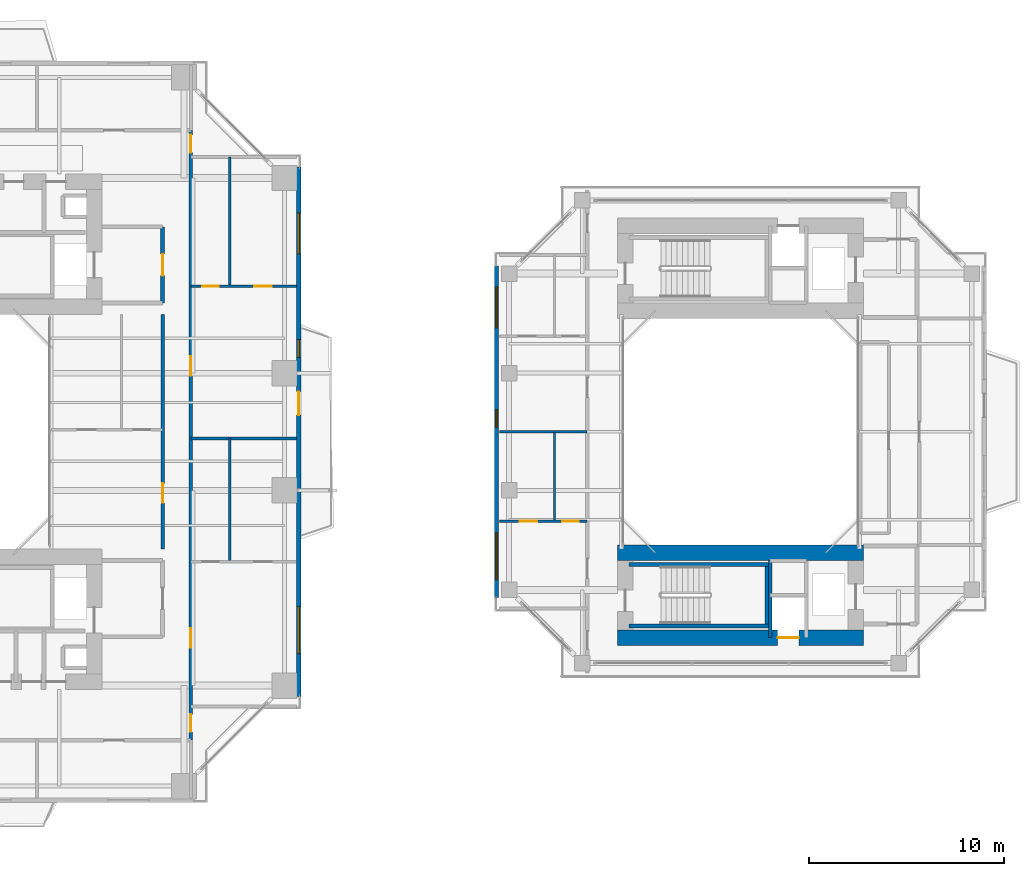
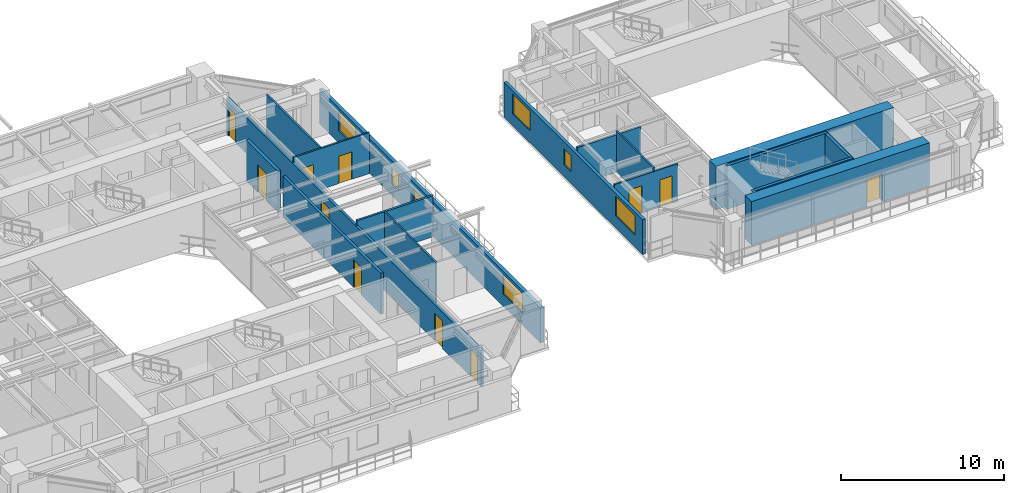
# One storey, part 16 of 23: 18 walls, 12 doors, 6 windows, 18 openings.
"""IFC4 building model written with IfcOpenShell, lengths in metres."""

from ifc_helpers import new_model, si_unit, direction, frame, frame_2d, origin, place, context, subcontext, project, spatial, rectangle, extrude, source, transform, mapped, material, layer, layer_set, type_object, element, fill, save


model = new_model("IFC4")

# Units and contexts
model_context = context("Model", 3, precision=1e-05, world=origin(), true_north=direction((0.0, 1.0)))
body_context = subcontext(model_context, "Body", "Model", "MODEL_VIEW")
ifc_project = project(units=[si_unit("LENGTHUNIT", "METRE"), si_unit("AREAUNIT", "SQUARE_METRE"), si_unit("VOLUMEUNIT", "CUBIC_METRE"), si_unit("PLANEANGLEUNIT", "RADIAN"), si_unit("MASSUNIT", "GRAM", prefix="KILO"), si_unit("THERMODYNAMICTEMPERATUREUNIT", "KELVIN"), si_unit("POWERUNIT", "WATT")], contexts=[model_context])

# Site, building, storey
site_placement = place(None, origin())
site = spatial("IfcSite", under=ifc_project, at=site_placement, CompositionType="ELEMENT")
building_placement = place(site_placement, origin())
building = spatial("IfcBuilding", under=site, at=building_placement, Name="Qiaomeng Ring Towers", CompositionType="ELEMENT")
storey_placement = place(building_placement, frame((0.0, 0.0, 86.0)))
storey = spatial("IfcBuildingStorey", under=building, at=storey_placement, Name="L24", CompositionType="ELEMENT", Elevation=86.0)

# Wall, openings, windows, door
ifc_material_1 = material(Name="Precast concrete C40", Category="concrete")
ifc_layer_1 = layer(ifc_material_1, 0.25, Name="Precast concrete C40")
ifc_layer_set_1 = layer_set([ifc_layer_1], Name="Precast concrete C40")
wall_type_1 = type_object("IfcWallType", Name="ARC-WL-EW1", PredefinedType="STANDARD", material=ifc_layer_set_1)
wall_1_placement = place(storey_placement, frame((37.875, 9.449951171875, 0.0), z_axis=(0.0, 0.0, 1.0), x_axis=(0.0, 1.0, 0.0)))
wall_1 = element("IfcWall", 1, at=wall_1_placement, inside=storey, type_object=wall_type_1, Name="L24 Tower 1 E Exterior Wall", PredefinedType="STANDARD", context=body_context, shape_type="SweptSolid", body=[
    extrude(rectangle(XDim=27.10009765625, YDim=0.25, at=frame_2d((13.550048828125, 0.0))), origin(), (0.0, 0.0, 1.0), 2.610107421875),
])
opening_1_placement = place(wall_1_placement, frame((14.39990234375, 0.0, 0.0)))
opening_1 = element("IfcOpeningElement", 2, at=opening_1_placement, cuts=wall_1, Name="Opening BD1", PredefinedType="OPENING", context=body_context, shape_type="SweptSolid", body=[
    extrude(rectangle(XDim=1.199951171875, YDim=2.10009765625, at=frame_2d((0.60009765625, 1.050048828125))), frame((0.0, 0.135009765625, 0.0), z_axis=(0.0, -1.0, 0.0), x_axis=(1.0, 0.0, 0.0)), (0.0, 0.0, 1.0), 0.27001953125),
])
opening_2_placement = place(wall_1_placement, frame((2.18798828125, 0.0, 0.89990234375)))
opening_2 = element("IfcOpeningElement", 3, at=opening_2_placement, cuts=wall_1, Name="Opening WN6", PredefinedType="OPENING", context=body_context, shape_type="SweptSolid", body=[
    extrude(rectangle(XDim=2.39990234375, YDim=1.47998046875, at=frame_2d((1.199951171875, 0.739990234375))), frame((0.0, 0.135009765625, 0.0), z_axis=(0.0, -1.0, 0.0), x_axis=(1.0, 0.0, 0.0)), (0.0, 0.0, 1.0), 0.27001953125),
])
opening_3_placement = place(wall_1_placement, frame((22.6630859375, 0.0, 0.89990234375)))
opening_3 = element("IfcOpeningElement", 4, at=opening_3_placement, cuts=wall_1, Name="Opening WN4", PredefinedType="OPENING", context=body_context, shape_type="SweptSolid", body=[
    extrude(rectangle(XDim=2.10009765625, YDim=1.47998046875, at=frame_2d((1.050048828125, 0.739990234375))), frame((0.0, 0.135009765625, 0.0), z_axis=(0.0, -1.0, 0.0), x_axis=(1.0, 0.0, 0.0)), (0.0, 0.0, 1.0), 0.27001953125),
])
opening_4_placement = place(wall_1_placement, frame((17.364990234375, 0.0, 0.89990234375)))
opening_4 = element("IfcOpeningElement", 5, at=opening_4_placement, cuts=wall_1, Name="Opening WN5", PredefinedType="OPENING", context=body_context, shape_type="SweptSolid", body=[
    extrude(rectangle(XDim=0.89990234375, YDim=1.199951171875, at=frame_2d((0.449951171875, 0.60009765625))), frame((0.0, 0.135009765625, 0.0), z_axis=(0.0, -1.0, 0.0), x_axis=(1.0, 0.0, 0.0)), (0.0, 0.0, 1.0), 0.27001953125),
])
ifc_material_2 = material(Name="Low-E dark-grey laminated double glazing", Category="glass")
window_type_1 = type_object("IfcWindowType", Name="ARC-WN-4", PartitioningType="TRIPLE_PANEL_VERTICAL", PredefinedType="WINDOW", material=ifc_material_2)
shared_shape_1 = source(origin(), body_context, "Body", "SweptSolid", [
    extrude(rectangle(XDim=2.10009765625, YDim=1.47998046875, at=frame_2d((1.050048828125, 0.739990234375))), frame((0.0, 0.030029296875, 0.0), z_axis=(0.0, -1.0, 0.0), x_axis=(1.0, 0.0, 0.0)), (0.0, 0.0, 1.0), 0.06005859375),
])
window_1_placement = place(opening_3_placement, origin())
window_1 = element("IfcWindow", 6, at=window_1_placement, inside=storey, type_object=window_type_1, Name="L24 Exterior Window WN4", OverallHeight=1.47998046875, OverallWidth=2.10009765625, PartitioningType="TRIPLE_PANEL_VERTICAL", PredefinedType="WINDOW", context=body_context, shape_type="MappedRepresentation", body=[
    mapped(shared_shape_1, transform((0.0, 0.0, 0.0), x_axis=(1.0, 0.0, 0.0), y_axis=(0.0, 1.0, 0.0), z_axis=(0.0, 0.0, 1.0), scale=1.0)),
])
fill(opening_3, window_1)
window_type_2 = type_object("IfcWindowType", Name="ARC-WN-6", PartitioningType="TRIPLE_PANEL_VERTICAL", PredefinedType="WINDOW", material=ifc_material_2)
shared_shape_2 = source(origin(), body_context, "Body", "SweptSolid", [
    extrude(rectangle(XDim=2.39990234375, YDim=1.47998046875, at=frame_2d((1.199951171875, 0.739990234375))), frame((0.0, 0.030029296875, 0.0), z_axis=(0.0, -1.0, 0.0), x_axis=(1.0, 0.0, 0.0)), (0.0, 0.0, 1.0), 0.06005859375),
])
window_2_placement = place(opening_2_placement, origin())
window_2 = element("IfcWindow", 7, at=window_2_placement, inside=storey, type_object=window_type_2, Name="L24 Exterior Window WN6", OverallHeight=1.47998046875, OverallWidth=2.39990234375, PartitioningType="TRIPLE_PANEL_VERTICAL", PredefinedType="WINDOW", context=body_context, shape_type="MappedRepresentation", body=[
    mapped(shared_shape_2, transform((0.0, 0.0, 0.0), x_axis=(1.0, 0.0, 0.0), y_axis=(0.0, 1.0, 0.0), z_axis=(0.0, 0.0, 1.0), scale=1.0)),
])
fill(opening_2, window_2)
door_type_1 = type_object("IfcDoorType", Name="ARC-DR-BD1", OperationType="NOTDEFINED", PredefinedType="DOOR", material=ifc_material_2)
shared_shape_3 = source(origin(), body_context, "Body", "SweptSolid", [
    extrude(rectangle(XDim=1.199951171875, YDim=2.10009765625, at=frame_2d((0.60009765625, 1.050048828125))), frame((0.0, 0.02490234375, 0.0), z_axis=(0.0, -1.0, 0.0), x_axis=(1.0, 0.0, 0.0)), (0.0, 0.0, 1.0), 0.050048828125),
])
door_1_placement = place(opening_1_placement, origin())
door_1 = element("IfcDoor", 8, at=door_1_placement, inside=storey, type_object=door_type_1, Name="L24 E Balcony Glazed Door", OperationType="SINGLE_SWING_LEFT", OverallHeight=2.10009765625, OverallWidth=1.199951171875, PredefinedType="DOOR", context=body_context, shape_type="MappedRepresentation", body=[
    mapped(shared_shape_3, transform((0.0, 0.0, 0.0), x_axis=(1.0, 0.0, 0.0), y_axis=(0.0, 1.0, 0.0), z_axis=(0.0, 0.0, 1.0), scale=1.0)),
])
fill(opening_1, door_1)
window_type_3 = type_object("IfcWindowType", Name="ARC-WN-5", PartitioningType="SINGLE_PANEL", PredefinedType="WINDOW", material=ifc_material_2)
shared_shape_4 = source(origin(), body_context, "Body", "SweptSolid", [
    extrude(rectangle(XDim=0.89990234375, YDim=1.199951171875, at=frame_2d((0.449951171875, 0.60009765625))), frame((0.0, 0.030029296875, 0.0), z_axis=(0.0, -1.0, 0.0), x_axis=(1.0, 0.0, 0.0)), (0.0, 0.0, 1.0), 0.06005859375),
])
window_3_placement = place(opening_4_placement, origin())
window_3 = element("IfcWindow", 9, at=window_3_placement, inside=storey, type_object=window_type_3, Name="L24 Exterior Window WN5", OverallHeight=1.199951171875, OverallWidth=0.89990234375, PartitioningType="SINGLE_PANEL", PredefinedType="WINDOW", context=body_context, shape_type="MappedRepresentation", body=[
    mapped(shared_shape_4, transform((0.0, 0.0, 0.0), x_axis=(1.0, 0.0, 0.0), y_axis=(0.0, 1.0, 0.0), z_axis=(0.0, 0.0, 1.0), scale=1.0)),
])
fill(opening_4, window_3)

# Wall, openings, windows
ifc_layer_2 = layer(ifc_material_1, 0.219970703125, Name="Precast concrete C40")
ifc_layer_set_2 = layer_set([ifc_layer_2], Name="Precast concrete C40")
wall_type_2 = type_object("IfcWallType", Name="ARC-WL-EW2", PredefinedType="STANDARD", material=ifc_layer_set_2)
wall_2_placement = place(storey_placement, frame((48.010009765625, 14.5, 0.0), z_axis=(0.0, 0.0, 1.0), x_axis=(0.0, 1.0, 0.0)))
wall_2 = element("IfcWall", 10, at=wall_2_placement, inside=storey, type_object=wall_type_2, Name="L24 Companion West Wall", PredefinedType="STANDARD", context=body_context, shape_type="SweptSolid", body=[
    extrude(rectangle(XDim=17.0, YDim=0.219970703125, at=frame_2d((8.5, 0.0))), origin(), (0.0, 0.0, 1.0), 2.610107421875),
])
opening_5_placement = place(wall_2_placement, frame((0.925048828125, 0.0, 0.89990234375)))
opening_5 = element("IfcOpeningElement", 11, at=opening_5_placement, cuts=wall_2, Name="Opening WN6", PredefinedType="OPENING", context=body_context, shape_type="SweptSolid", body=[
    extrude(rectangle(XDim=2.39990234375, YDim=1.47998046875, at=frame_2d((1.199951171875, 0.739990234375))), frame((0.0, 0.119873046875, 0.0), z_axis=(0.0, -1.0, 0.0), x_axis=(1.0, 0.0, 0.0)), (0.0, 0.0, 1.0), 0.239990234375),
])
opening_6_placement = place(wall_2_placement, frame((13.824951171875, 0.0, 0.89990234375)))
opening_6 = element("IfcOpeningElement", 12, at=opening_6_placement, cuts=wall_2, Name="Opening WN4", PredefinedType="OPENING", context=body_context, shape_type="SweptSolid", body=[
    extrude(rectangle(XDim=2.10009765625, YDim=1.47998046875, at=frame_2d((1.050048828125, 0.739990234375))), frame((0.0, 0.119873046875, 0.0), z_axis=(0.0, -1.0, 0.0), x_axis=(1.0, 0.0, 0.0)), (0.0, 0.0, 1.0), 0.239990234375),
])
opening_7_placement = place(wall_2_placement, frame((8.735107421875, 0.0, 0.89990234375)))
opening_7 = element("IfcOpeningElement", 13, at=opening_7_placement, cuts=wall_2, Name="Opening WN5", PredefinedType="OPENING", context=body_context, shape_type="SweptSolid", body=[
    extrude(rectangle(XDim=0.89990234375, YDim=1.199951171875, at=frame_2d((0.449951171875, 0.60009765625))), frame((0.0, 0.119873046875, 0.0), z_axis=(0.0, -1.0, 0.0), x_axis=(1.0, 0.0, 0.0)), (0.0, 0.0, 1.0), 0.239990234375),
])
window_4_placement = place(opening_6_placement, origin())
window_4 = element("IfcWindow", 14, at=window_4_placement, inside=storey, type_object=window_type_1, Name="L24 Exterior Window WN4", OverallHeight=1.47998046875, OverallWidth=2.10009765625, PartitioningType="TRIPLE_PANEL_VERTICAL", PredefinedType="WINDOW", context=body_context, shape_type="MappedRepresentation", body=[
    mapped(shared_shape_1, transform((0.0, 0.0, 0.0), x_axis=(1.0, 0.0, 0.0), y_axis=(0.0, 1.0, 0.0), z_axis=(0.0, 0.0, 1.0), scale=1.0)),
])
fill(opening_6, window_4)
window_5_placement = place(opening_5_placement, origin())
window_5 = element("IfcWindow", 15, at=window_5_placement, inside=storey, type_object=window_type_2, Name="L24 Exterior Window WN6", OverallHeight=1.47998046875, OverallWidth=2.39990234375, PartitioningType="TRIPLE_PANEL_VERTICAL", PredefinedType="WINDOW", context=body_context, shape_type="MappedRepresentation", body=[
    mapped(shared_shape_2, transform((0.0, 0.0, 0.0), x_axis=(1.0, 0.0, 0.0), y_axis=(0.0, 1.0, 0.0), z_axis=(0.0, 0.0, 1.0), scale=1.0)),
])
fill(opening_5, window_5)
window_6_placement = place(opening_7_placement, origin())
window_6 = element("IfcWindow", 16, at=window_6_placement, inside=storey, type_object=window_type_3, Name="L24 Exterior Window WN5", OverallHeight=1.199951171875, OverallWidth=0.89990234375, PartitioningType="SINGLE_PANEL", PredefinedType="WINDOW", context=body_context, shape_type="MappedRepresentation", body=[
    mapped(shared_shape_4, transform((0.0, 0.0, 0.0), x_axis=(1.0, 0.0, 0.0), y_axis=(0.0, 1.0, 0.0), z_axis=(0.0, 0.0, 1.0), scale=1.0)),
])
fill(opening_7, window_6)

# Wall, opening, door
ifc_material_3 = material(Name="Autoclaved aerated concrete block", Category="concrete")
ifc_layer_3 = layer(ifc_material_3, 0.199951171875, Name="Autoclaved aerated concrete block")
ifc_layer_set_3 = layer_set([ifc_layer_3], Name="Autoclaved aerated concrete block")
wall_type_3 = type_object("IfcWallType", Name="ARC-WL-PW1", PredefinedType="PARTITIONING", material=ifc_layer_set_3)
wall_3_placement = place(storey_placement, frame((30.89990234375, 29.60009765625, 0.0), z_axis=(0.0, 0.0, 1.0), x_axis=(0.0, 1.0, 0.0)))
wall_3 = element("IfcWall", 17, at=wall_3_placement, inside=storey, type_object=wall_type_3, Name="L24 Interior Wall PW1", PredefinedType="PARTITIONING", context=body_context, shape_type="SweptSolid", body=[
    extrude(rectangle(XDim=3.89990234375, YDim=0.199951171875, at=frame_2d((1.949951171875, 0.0))), origin(), (0.0, 0.0, 1.0), 3.070068359375),
])
opening_8_placement = place(wall_3_placement, frame((1.39990234375, 0.0, 0.0)))
opening_8 = element("IfcOpeningElement", 18, at=opening_8_placement, cuts=wall_3, Name="Opening FD3", PredefinedType="OPENING", context=body_context, shape_type="SweptSolid", body=[
    extrude(rectangle(XDim=1.10009765625, YDim=2.050048828125, at=frame_2d((0.550048828125, 1.02490234375))), frame((0.0, 0.10986328125, 0.0), z_axis=(0.0, -1.0, 0.0), x_axis=(1.0, 0.0, 0.0)), (0.0, 0.0, 1.0), 0.219970703125),
])
ifc_material_4 = material(Name="Galvanised steel", Category="steel")
door_type_2 = type_object("IfcDoorType", Name="ARC-DR-FD3", OperationType="NOTDEFINED", PredefinedType="DOOR", material=ifc_material_4)
shared_shape_5 = source(origin(), body_context, "Body", "SweptSolid", [
    extrude(rectangle(XDim=1.10009765625, YDim=2.050048828125, at=frame_2d((0.550048828125, 1.02490234375))), frame((0.0, 0.02490234375, 0.0), z_axis=(0.0, -1.0, 0.0), x_axis=(1.0, 0.0, 0.0)), (0.0, 0.0, 1.0), 0.050048828125),
])
door_2_placement = place(opening_8_placement, origin())
door_2 = element("IfcDoor", 19, at=door_2_placement, inside=storey, type_object=door_type_2, Name="L24 North FF Lobby Door", OperationType="SINGLE_SWING_LEFT", OverallHeight=2.050048828125, OverallWidth=1.10009765625, PredefinedType="DOOR", context=body_context, shape_type="MappedRepresentation", body=[
    mapped(shared_shape_5, transform((0.0, 0.0, 0.0), x_axis=(1.0, 0.0, 0.0), y_axis=(0.0, 1.0, 0.0), z_axis=(0.0, 0.0, 1.0), scale=1.0)),
])
fill(opening_8, door_2)

# Wall, openings, doors
ifc_layer_4 = layer(ifc_material_3, 0.179931640625, Name="Autoclaved aerated concrete block")
ifc_layer_set_4 = layer_set([ifc_layer_4], Name="Autoclaved aerated concrete block")
wall_type_4 = type_object("IfcWallType", Name="ARC-WL-PW2", PredefinedType="PARTITIONING", material=ifc_layer_set_4)
wall_4_placement = place(storey_placement, frame((32.35009765625, 7.2099609375, 0.0), z_axis=(0.0, 0.0, 1.0), x_axis=(0.0, 1.0, 0.0)))
wall_4 = element("IfcWall", 20, at=wall_4_placement, inside=storey, type_object=wall_type_4, Name="L24 Interior Wall PW2", PredefinedType="PARTITIONING", context=body_context, shape_type="SweptSolid", body=[
    extrude(rectangle(XDim=31.22998046875, YDim=0.179931640625, at=frame_2d((15.614990234375, 0.0))), origin(), (0.0, 0.0, 1.0), 2.715087890625),
])
opening_9_placement = place(wall_4_placement, frame((30.090087890625, 0.0, 0.0)))
opening_9 = element("IfcOpeningElement", 21, at=opening_9_placement, cuts=wall_4, Name="Opening ID1", PredefinedType="OPENING", context=body_context, shape_type="SweptSolid", body=[
    extrude(rectangle(XDim=0.89990234375, YDim=2.050048828125, at=frame_2d((0.449951171875, 1.02490234375))), frame((0.0, 0.099853515625, 0.0), z_axis=(0.0, -1.0, 0.0), x_axis=(1.0, 0.0, 0.0)), (0.0, 0.0, 1.0), 0.199951171875),
])
opening_10_placement = place(wall_4_placement, frame((0.4150390625, 0.0, 0.0)))
opening_10 = element("IfcOpeningElement", 22, at=opening_10_placement, cuts=wall_4, Name="Opening ID1", PredefinedType="OPENING", context=body_context, shape_type="SweptSolid", body=[
    extrude(rectangle(XDim=0.89990234375, YDim=2.050048828125, at=frame_2d((0.449951171875, 1.02490234375))), frame((0.0, 0.099853515625, 0.0), z_axis=(0.0, -1.0, 0.0), x_axis=(1.0, 0.0, 0.0)), (0.0, 0.0, 1.0), 0.199951171875),
])
opening_11_placement = place(wall_4_placement, frame((4.72998046875, 0.0, 0.0)))
opening_11 = element("IfcOpeningElement", 23, at=opening_11_placement, cuts=wall_4, Name="Opening FD4", PredefinedType="OPENING", context=body_context, shape_type="SweptSolid", body=[
    extrude(rectangle(XDim=1.0, YDim=2.050048828125, at=frame_2d((0.5, 1.02490234375))), frame((0.0, 0.099853515625, 0.0), z_axis=(0.0, -1.0, 0.0), x_axis=(1.0, 0.0, 0.0)), (0.0, 0.0, 1.0), 0.199951171875),
])
opening_12_placement = place(wall_4_placement, frame((18.655029296875, 0.0, 0.0)))
opening_12 = element("IfcOpeningElement", 24, at=opening_12_placement, cuts=wall_4, Name="Opening FD4", PredefinedType="OPENING", context=body_context, shape_type="SweptSolid", body=[
    extrude(rectangle(XDim=1.0, YDim=2.050048828125, at=frame_2d((0.5, 1.02490234375))), frame((0.0, 0.099853515625, 0.0), z_axis=(0.0, -1.0, 0.0), x_axis=(1.0, 0.0, 0.0)), (0.0, 0.0, 1.0), 0.199951171875),
])
ifc_material_5 = material(Name="Engineered fire-rated oak timber", Category="wood")
door_type_3 = type_object("IfcDoorType", Name="ARC-DR-FD4", OperationType="NOTDEFINED", PredefinedType="DOOR", material=ifc_material_5)
shared_shape_6 = source(origin(), body_context, "Body", "SweptSolid", [
    extrude(rectangle(XDim=1.0, YDim=2.050048828125, at=frame_2d((0.5, 1.02490234375))), frame((0.0, 0.02490234375, 0.0), z_axis=(0.0, -1.0, 0.0), x_axis=(1.0, 0.0, 0.0)), (0.0, 0.0, 1.0), 0.050048828125),
])
door_3_placement = place(opening_11_placement, origin())
door_3 = element("IfcDoor", 25, at=door_3_placement, inside=storey, type_object=door_type_3, Name="L24 Door FD4", OperationType="SINGLE_SWING_LEFT", OverallHeight=2.050048828125, OverallWidth=1.0, PredefinedType="DOOR", context=body_context, shape_type="MappedRepresentation", body=[
    mapped(shared_shape_6, transform((0.0, 0.0, 0.0), x_axis=(1.0, 0.0, 0.0), y_axis=(0.0, 1.0, 0.0), z_axis=(0.0, 0.0, 1.0), scale=1.0)),
])
fill(opening_11, door_3)
door_4_placement = place(opening_12_placement, origin())
door_4 = element("IfcDoor", 26, at=door_4_placement, inside=storey, type_object=door_type_3, Name="L24 Door FD4", OperationType="SINGLE_SWING_RIGHT", OverallHeight=2.050048828125, OverallWidth=1.0, PredefinedType="DOOR", context=body_context, shape_type="MappedRepresentation", body=[
    mapped(shared_shape_6, transform((0.0, 0.0, 0.0), x_axis=(1.0, 0.0, 0.0), y_axis=(0.0, 1.0, 0.0), z_axis=(0.0, 0.0, 1.0), scale=1.0)),
])
fill(opening_12, door_4)
ifc_material_6 = material(Name="Engineered oak timber", Category="wood")
door_type_4 = type_object("IfcDoorType", Name="ARC-DR-ID1", OperationType="NOTDEFINED", PredefinedType="DOOR", material=ifc_material_6)
shared_shape_7 = source(origin(), body_context, "Body", "SweptSolid", [
    extrude(rectangle(XDim=0.89990234375, YDim=2.050048828125, at=frame_2d((0.449951171875, 1.02490234375))), frame((0.0, 0.02490234375, 0.0), z_axis=(0.0, -1.0, 0.0), x_axis=(1.0, 0.0, 0.0)), (0.0, 0.0, 1.0), 0.050048828125),
])
door_5_placement = place(opening_9_placement, origin())
door_5 = element("IfcDoor", 27, at=door_5_placement, inside=storey, type_object=door_type_4, Name="L24 Door ID1", OperationType="SINGLE_SWING_LEFT", OverallHeight=2.050048828125, OverallWidth=0.89990234375, PredefinedType="DOOR", context=body_context, shape_type="MappedRepresentation", body=[
    mapped(shared_shape_7, transform((0.0, 0.0, 0.0), x_axis=(1.0, 0.0, 0.0), y_axis=(0.0, 1.0, 0.0), z_axis=(0.0, 0.0, 1.0), scale=1.0)),
])
fill(opening_9, door_5)
door_6_placement = place(opening_10_placement, origin())
door_6 = element("IfcDoor", 28, at=door_6_placement, inside=storey, type_object=door_type_4, Name="L24 Door ID1", OperationType="SINGLE_SWING_RIGHT", OverallHeight=2.050048828125, OverallWidth=0.89990234375, PredefinedType="DOOR", context=body_context, shape_type="MappedRepresentation", body=[
    mapped(shared_shape_7, transform((0.0, 0.0, 0.0), x_axis=(1.0, 0.0, 0.0), y_axis=(0.0, 1.0, 0.0), z_axis=(0.0, 0.0, 1.0), scale=1.0)),
])
fill(opening_10, door_6)

# Wall, opening, door
wall_5_placement = place(storey_placement, frame((30.89990234375, 17.0, 0.0), z_axis=(0.0, 0.0, 1.0), x_axis=(0.0, 1.0, 0.0)))
wall_5 = element("IfcWall", 29, at=wall_5_placement, inside=storey, type_object=wall_type_4, Name="L24 Interior Wall PW2", PredefinedType="PARTITIONING", context=body_context, shape_type="SweptSolid", body=[
    extrude(rectangle(XDim=12.0, YDim=0.179931640625, at=frame_2d((6.0, 0.0))), origin(), (0.0, 0.0, 1.0), 3.070068359375),
])
opening_13_placement = place(wall_5_placement, frame((2.360107421875, 0.0, 0.0)))
opening_13 = element("IfcOpeningElement", 30, at=opening_13_placement, cuts=wall_5, Name="Opening FD4", PredefinedType="OPENING", context=body_context, shape_type="SweptSolid", body=[
    extrude(rectangle(XDim=1.0, YDim=2.050048828125, at=frame_2d((0.5, 1.02490234375))), frame((0.0, 0.099853515625, 0.0), z_axis=(0.0, -1.0, 0.0), x_axis=(1.0, 0.0, 0.0)), (0.0, 0.0, 1.0), 0.199951171875),
])
door_7_placement = place(opening_13_placement, origin())
door_7 = element("IfcDoor", 31, at=door_7_placement, inside=storey, type_object=door_type_3, Name="L24 Door FD4", OperationType="SINGLE_SWING_LEFT", OverallHeight=2.050048828125, OverallWidth=1.0, PredefinedType="DOOR", context=body_context, shape_type="MappedRepresentation", body=[
    mapped(shared_shape_6, transform((0.0, 0.0, 0.0), x_axis=(1.0, 0.0, 0.0), y_axis=(0.0, 1.0, 0.0), z_axis=(0.0, 0.0, 1.0), scale=1.0)),
])
fill(opening_13, door_7)

# Walls
ifc_material_7 = material(Name="Gypsum fireboard steel-stud partition", Category="steel")
ifc_layer_5 = layer(ifc_material_7, 0.14990234375, Name="Gypsum fireboard steel-stud partition")
ifc_layer_set_5 = layer_set([ifc_layer_5], Name="Gypsum fireboard steel-stud partition")
wall_type_5 = type_object("IfcWallType", Name="ARC-WL-PW3", PredefinedType="PARTITIONING", material=ifc_layer_set_5)
wall_6_placement = place(storey_placement, frame((32.35009765625, 22.659912109375, 0.0), z_axis=(0.0, 0.0, 1.0), x_axis=(1.0, 0.0, 0.0)))
element("IfcWall", 32, at=wall_6_placement, inside=storey, type_object=wall_type_5, Name="L24 Interior Wall PW3", PredefinedType="PARTITIONING", context=body_context, shape_type="SweptSolid", body=[
    extrude(rectangle(XDim=5.39990234375, YDim=0.14990234375, at=frame_2d((2.699951171875, 0.0))), origin(), (0.0, 0.0, 1.0), 3.070068359375),
])
wall_7_placement = place(storey_placement, frame((48.14990234375, 23.0, 0.0), z_axis=(0.0, 0.0, 1.0), x_axis=(1.0, 0.0, 0.0)))
element("IfcWall", 33, at=wall_7_placement, inside=storey, type_object=wall_type_5, Name="L24 Interior Wall PW3", PredefinedType="PARTITIONING", context=body_context, shape_type="SweptSolid", body=[
    extrude(rectangle(XDim=4.5, YDim=0.14990234375, at=frame_2d((2.25, 0.0))), origin(), (0.0, 0.0, 1.0), 2.81494140625),
])
ifc_material_8 = material(Name="Moisture-resistant gypsum steel-stud partition", Category="steel")
ifc_layer_6 = layer(ifc_material_8, 0.1201171875, Name="Moisture-resistant gypsum steel-stud partition")
ifc_layer_set_6 = layer_set([ifc_layer_6], Name="Moisture-resistant gypsum steel-stud partition")
wall_type_6 = type_object("IfcWallType", Name="ARC-WL-PW4", PredefinedType="PLUMBINGWALL", material=ifc_layer_set_6)
wall_8_placement = place(storey_placement, frame((34.35009765625, 16.340087890625, 0.0), z_axis=(0.0, 0.0, 1.0), x_axis=(0.0, 1.0, 0.0)))
element("IfcWall", 34, at=wall_8_placement, inside=storey, type_object=wall_type_6, Name="L24 Interior Wall PW4", PredefinedType="PLUMBINGWALL", context=body_context, shape_type="SweptSolid", body=[
    extrude(rectangle(XDim=6.31982421875, YDim=0.1201171875, at=frame_2d((3.159912109375, 0.0))), origin(), (0.0, 0.0, 1.0), 3.070068359375),
])

# Wall, openings, doors
wall_9_placement = place(storey_placement, frame((32.35009765625, 30.449951171875, 0.0), z_axis=(0.0, 0.0, 1.0), x_axis=(1.0, 0.0, 0.0)))
wall_9 = element("IfcWall", 35, at=wall_9_placement, inside=storey, type_object=wall_type_6, Name="L24 Interior Wall PW4", PredefinedType="PLUMBINGWALL", context=body_context, shape_type="SweptSolid", body=[
    extrude(rectangle(XDim=5.39990234375, YDim=0.1201171875, at=frame_2d((2.699951171875, 0.0))), origin(), (0.0, 0.0, 1.0), 3.070068359375),
])
opening_14_placement = place(wall_9_placement, frame((0.5849609375, 0.0, 0.0)))
opening_14 = element("IfcOpeningElement", 36, at=opening_14_placement, cuts=wall_9, Name="Opening ID2", PredefinedType="OPENING", context=body_context, shape_type="SweptSolid", body=[
    extrude(rectangle(XDim=0.85009765625, YDim=2.050048828125, at=frame_2d((0.425048828125, 1.02490234375))), frame((0.0, 0.070068359375, 0.0), z_axis=(0.0, -1.0, 0.0), x_axis=(1.0, 0.0, 0.0)), (0.0, 0.0, 1.0), 0.14013671875),
])
opening_15_placement = place(wall_9_placement, frame((3.239990234375, 0.0, 0.0)))
opening_15 = element("IfcOpeningElement", 37, at=opening_15_placement, cuts=wall_9, Name="Opening ID1", PredefinedType="OPENING", context=body_context, shape_type="SweptSolid", body=[
    extrude(rectangle(XDim=0.89990234375, YDim=2.050048828125, at=frame_2d((0.449951171875, 1.02490234375))), frame((0.0, 0.070068359375, 0.0), z_axis=(0.0, -1.0, 0.0), x_axis=(1.0, 0.0, 0.0)), (0.0, 0.0, 1.0), 0.14013671875),
])
ifc_material_9 = material(Name="Moisture-resistant engineered timber", Category="wood")
door_type_5 = type_object("IfcDoorType", Name="ARC-DR-ID2", OperationType="NOTDEFINED", PredefinedType="DOOR", material=ifc_material_9)
shared_shape_8 = source(origin(), body_context, "Body", "SweptSolid", [
    extrude(rectangle(XDim=0.85009765625, YDim=2.050048828125, at=frame_2d((0.425048828125, 1.02490234375))), frame((0.0, 0.02490234375, 0.0), z_axis=(0.0, -1.0, 0.0), x_axis=(1.0, 0.0, 0.0)), (0.0, 0.0, 1.0), 0.050048828125),
])
door_8_placement = place(opening_14_placement, origin())
door_8 = element("IfcDoor", 38, at=door_8_placement, inside=storey, type_object=door_type_5, Name="L24 Door ID2", OperationType="SINGLE_SWING_RIGHT", OverallHeight=2.050048828125, OverallWidth=0.85009765625, PredefinedType="DOOR", context=body_context, shape_type="MappedRepresentation", body=[
    mapped(shared_shape_8, transform((0.0, 0.0, 0.0), x_axis=(1.0, 0.0, 0.0), y_axis=(0.0, 1.0, 0.0), z_axis=(0.0, 0.0, 1.0), scale=1.0)),
])
fill(opening_14, door_8)
door_9_placement = place(opening_15_placement, origin())
door_9 = element("IfcDoor", 39, at=door_9_placement, inside=storey, type_object=door_type_4, Name="L24 Door ID1", OperationType="SINGLE_SWING_LEFT", OverallHeight=2.050048828125, OverallWidth=0.89990234375, PredefinedType="DOOR", context=body_context, shape_type="MappedRepresentation", body=[
    mapped(shared_shape_7, transform((0.0, 0.0, 0.0), x_axis=(1.0, 0.0, 0.0), y_axis=(0.0, 1.0, 0.0), z_axis=(0.0, 0.0, 1.0), scale=1.0)),
])
fill(opening_15, door_9)

# Wall
wall_10_placement = place(storey_placement, frame((34.35009765625, 30.449951171875, 0.0), z_axis=(0.0, 0.0, 1.0), x_axis=(0.0, 1.0, 0.0)))
element("IfcWall", 40, at=wall_10_placement, inside=storey, type_object=wall_type_6, Name="L24 Interior Wall PW4", PredefinedType="PLUMBINGWALL", context=body_context, shape_type="SweptSolid", body=[
    extrude(rectangle(XDim=6.630126953125, YDim=0.1201171875, at=frame_2d((3.31494140625, 0.0))), origin(), (0.0, 0.0, 1.0), 3.070068359375),
])

# Wall, openings, doors
wall_11_placement = place(storey_placement, frame((48.14990234375, 18.419921875, 0.0), z_axis=(0.0, 0.0, 1.0), x_axis=(1.0, 0.0, 0.0)))
wall_11 = element("IfcWall", 41, at=wall_11_placement, inside=storey, type_object=wall_type_6, Name="L24 Interior Wall PW4", PredefinedType="PLUMBINGWALL", context=body_context, shape_type="SweptSolid", body=[
    extrude(rectangle(XDim=4.5, YDim=0.1201171875, at=frame_2d((2.25, 0.0))), origin(), (0.0, 0.0, 1.0), 2.81494140625),
])
opening_16_placement = place(wall_11_placement, frame((1.035888671875, 0.0, 0.0)))
opening_16 = element("IfcOpeningElement", 42, at=opening_16_placement, cuts=wall_11, Name="Opening ID1", PredefinedType="OPENING", context=body_context, shape_type="SweptSolid", body=[
    extrude(rectangle(XDim=0.89990234375, YDim=2.050048828125, at=frame_2d((0.449951171875, 1.02490234375))), frame((0.0, 0.070068359375, 0.0), z_axis=(0.0, -1.0, 0.0), x_axis=(1.0, 0.0, 0.0)), (0.0, 0.0, 1.0), 0.14013671875),
])
opening_17_placement = place(wall_11_placement, frame((3.22998046875, 0.0, 0.0)))
opening_17 = element("IfcOpeningElement", 43, at=opening_17_placement, cuts=wall_11, Name="Opening ID2", PredefinedType="OPENING", context=body_context, shape_type="SweptSolid", body=[
    extrude(rectangle(XDim=0.85009765625, YDim=2.050048828125, at=frame_2d((0.425048828125, 1.02490234375))), frame((0.0, 0.070068359375, 0.0), z_axis=(0.0, -1.0, 0.0), x_axis=(1.0, 0.0, 0.0)), (0.0, 0.0, 1.0), 0.14013671875),
])
door_10_placement = place(opening_17_placement, origin())
door_10 = element("IfcDoor", 44, at=door_10_placement, inside=storey, type_object=door_type_5, Name="L24 Door ID2", OperationType="SINGLE_SWING_LEFT", OverallHeight=2.050048828125, OverallWidth=0.85009765625, PredefinedType="DOOR", context=body_context, shape_type="MappedRepresentation", body=[
    mapped(shared_shape_8, transform((0.0, 0.0, 0.0), x_axis=(1.0, 0.0, 0.0), y_axis=(0.0, 1.0, 0.0), z_axis=(0.0, 0.0, 1.0), scale=1.0)),
])
fill(opening_17, door_10)
door_11_placement = place(opening_16_placement, origin())
door_11 = element("IfcDoor", 45, at=door_11_placement, inside=storey, type_object=door_type_4, Name="L24 Door ID1", OperationType="SINGLE_SWING_RIGHT", OverallHeight=2.050048828125, OverallWidth=0.89990234375, PredefinedType="DOOR", context=body_context, shape_type="MappedRepresentation", body=[
    mapped(shared_shape_7, transform((0.0, 0.0, 0.0), x_axis=(1.0, 0.0, 0.0), y_axis=(0.0, 1.0, 0.0), z_axis=(0.0, 0.0, 1.0), scale=1.0)),
])
fill(opening_16, door_11)

# Walls
wall_12_placement = place(storey_placement, frame((50.97998046875, 18.419921875, 0.0), z_axis=(0.0, 0.0, 1.0), x_axis=(0.0, 1.0, 0.0)))
element("IfcWall", 46, at=wall_12_placement, inside=storey, type_object=wall_type_6, Name="L24 Interior Wall PW4", PredefinedType="PLUMBINGWALL", context=body_context, shape_type="SweptSolid", body=[
    extrude(rectangle(XDim=4.580078125, YDim=0.1201171875, at=frame_2d((2.2900390625, 0.0))), origin(), (0.0, 0.0, 1.0), 3.070068359375),
])
ifc_material_10 = material(Name="Concrete C40", Category="concrete")
ifc_layer_7 = layer(ifc_material_10, 0.199951171875, Name="Concrete C40")
ifc_layer_set_7 = layer_set([ifc_layer_7], Name="Concrete C40")
wall_type_7 = type_object("IfcWallType", Name="STR-WL-STSHAFT", PredefinedType="SHEAR", material=ifc_layer_set_7)
wall_13_placement = place(storey_placement, frame((62.02001953125, 12.449951171875, 0.0), z_axis=(0.0, 0.0, 1.0), x_axis=(0.0, 1.0, 0.0)))
element("IfcWall", 47, at=wall_13_placement, inside=storey, type_object=wall_type_7, Name="L24 Companion Lift Shaft West Wall S", PredefinedType="SHEAR", context=body_context, shape_type="SweptSolid", body=[
    extrude(rectangle(XDim=3.949951171875, YDim=0.179931640625, at=frame_2d((1.97509765625, 0.0))), origin(), (0.0, 0.0, 1.0), 3.070068359375),
])
for number, where, z_axis, x_axis, name in (
    (48, (54.800048828125, 13.06005859375, 0.0), (0.0, 0.0, 1.0), (1.0, 0.0, 0.0), "L24 Stair ST6 South Shaft Shear Wall"),
    (49, (54.800048828125, 16.199951171875, 0.0), (0.0, 0.0, 1.0), (1.0, 0.0, 0.0), "L24 Stair ST6 North Shaft Shear Wall"),
):
    element("IfcWall", number, at=place(storey_placement, frame(where, z_axis=z_axis, x_axis=x_axis)), inside=storey, type_object=wall_type_7, Name=name, PredefinedType="SHEAR", context=body_context, shape_type="SweptSolid", body=[
        extrude(rectangle(XDim=7.14990234375, YDim=0.199951171875, at=frame_2d((3.574951171875, 0.0))), origin(), (0.0, 0.0, 1.0), 3.25),
    ])
wall_14_placement = place(storey_placement, frame((61.85009765625, 13.159912109375, 0.0), z_axis=(0.0, 0.0, 1.0), x_axis=(0.0, 1.0, 0.0)))
element("IfcWall", 50, at=wall_14_placement, inside=storey, type_object=wall_type_7, Name="L24 Stair ST6 East Shaft Shear Wall", PredefinedType="SHEAR", context=body_context, shape_type="SweptSolid", body=[
    extrude(rectangle(XDim=2.940185546875, YDim=0.199951171875, at=frame_2d((1.47021484375, 0.0))), origin(), (0.0, 0.0, 1.0), 3.25),
])

# Wall, opening, door
ifc_material_11 = material(Name="Concrete C60", Category="concrete")
ifc_layer_8 = layer(ifc_material_11, 0.800048828125, Name="Concrete C60")
ifc_layer_set_8 = layer_set([ifc_layer_8], Name="Concrete C60")
wall_type_8 = type_object("IfcWallType", Name="STR-WL-SW1", PredefinedType="SHEAR", material=ifc_layer_set_8)
wall_15_placement = place(storey_placement, frame((54.199951171875, 12.449951171875, 0.0), z_axis=(0.0, 0.0, 1.0), x_axis=(1.0, 0.0, 0.0)))
wall_15 = element("IfcWall", 51, at=wall_15_placement, inside=storey, type_object=wall_type_8, Name="L24 T2SC south core shear wall", PredefinedType="SHEAR", context=body_context, shape_type="SweptSolid", body=[
    extrude(rectangle(XDim=12.60009765625, YDim=0.800048828125, at=frame_2d((6.300048828125, 0.0))), origin(), (0.0, 0.0, 1.0), 3.25),
])
opening_18_placement = place(wall_15_placement, frame((8.199951171875, 0.0, 0.0)))
opening_18 = element("IfcOpeningElement", 52, at=opening_18_placement, cuts=wall_15, Name="Opening LD1", PredefinedType="OPENING", context=body_context, shape_type="SweptSolid", body=[
    extrude(rectangle(XDim=1.10009765625, YDim=2.050048828125, at=frame_2d((0.550048828125, 1.02490234375))), frame((0.0, 0.409912109375, 0.0), z_axis=(0.0, -1.0, 0.0), x_axis=(1.0, 0.0, 0.0)), (0.0, 0.0, 1.0), 0.820068359375),
])
ifc_material_12 = material(Name="Stainless steel 316", Category="steel")
door_type_6 = type_object("IfcDoorType", Name="ARC-DR-LD1", OperationType="NOTDEFINED", PredefinedType="DOOR", material=ifc_material_12)
door_12_placement = place(opening_18_placement, origin())
door_12 = element("IfcDoor", 53, at=door_12_placement, inside=storey, type_object=door_type_6, Name="L24 Companion Lift LP8 Landing Door", OperationType="SLIDING_TO_RIGHT", OverallHeight=2.050048828125, OverallWidth=1.10009765625, PredefinedType="DOOR", context=body_context, shape_type="MappedRepresentation", body=[
    mapped(shared_shape_5, transform((0.0, 0.0, 0.0), x_axis=(1.0, 0.0, 0.0), y_axis=(0.0, 1.0, 0.0), z_axis=(0.0, 0.0, 1.0), scale=1.0)),
])
fill(opening_18, door_12)

# Wall
wall_16_placement = place(storey_placement, frame((54.199951171875, 16.800048828125, 0.0), z_axis=(0.0, 0.0, 1.0), x_axis=(1.0, 0.0, 0.0)))
element("IfcWall", 54, at=wall_16_placement, inside=storey, type_object=wall_type_8, Name="L24 T2SC north core shear wall", PredefinedType="SHEAR", context=body_context, shape_type="SweptSolid", body=[
    extrude(rectangle(XDim=12.60009765625, YDim=0.800048828125, at=frame_2d((6.300048828125, 0.0))), origin(), (0.0, 0.0, 1.0), 3.25),
])

save(model, "model.ifc")
